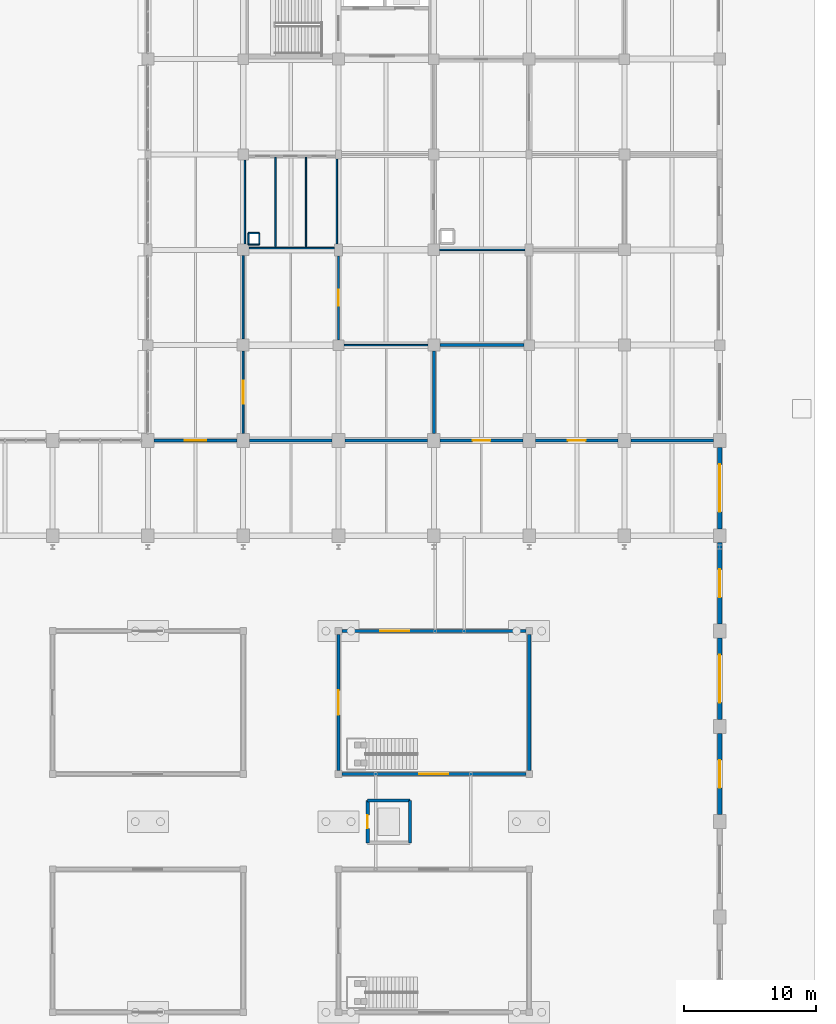
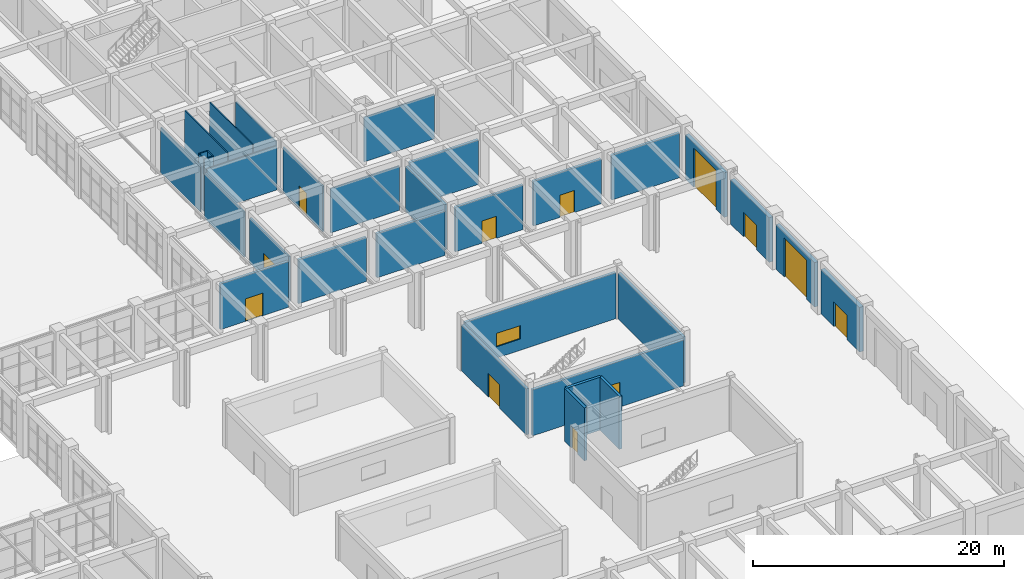
# One storey, part 146 of 160: 33 walls, 11 doors, 2 windows, 13 openings.
"""IFC4 building model written with IfcOpenShell, lengths in metres."""

from ifc_helpers import new_model, si_unit, direction, frame, frame_2d, origin, place, context, subcontext, project, spatial, rectangle, extrude, material, layer, layer_set, type_object, element, fill, save


model = new_model("IFC4")

# Units and contexts
model_context = context("Model", 3, precision=1e-05, world=origin(), true_north=direction((0.0, 1.0)))
body_context = subcontext(model_context, "Body", "Model", "MODEL_VIEW")
ifc_project = project(units=[si_unit("LENGTHUNIT", "METRE"), si_unit("AREAUNIT", "SQUARE_METRE"), si_unit("VOLUMEUNIT", "CUBIC_METRE"), si_unit("PLANEANGLEUNIT", "RADIAN"), si_unit("MASSUNIT", "GRAM", prefix="KILO")], contexts=[model_context])

# Site, building, storey
site_placement = place(None, origin())
site = spatial("IfcSite", under=ifc_project, at=site_placement, CompositionType="ELEMENT")
building_placement = place(site_placement, origin())
building = spatial("IfcBuilding", under=site, at=building_placement, Name="Thalmaran Polytechnic", CompositionType="ELEMENT")
storey_placement = place(building_placement, origin())
storey = spatial("IfcBuildingStorey", under=building, at=storey_placement, Name="L00", CompositionType="ELEMENT", Elevation=0.0)

# Wall, opening, door
ifc_material_1 = material(Name="Precast concrete C40/50", Category="concrete")
ifc_layer_1 = layer(ifc_material_1, 0.360107421875, Name="Precast concrete C40/50")
ifc_layer_set_1 = layer_set([ifc_layer_1], Name="Precast concrete C40/50")
wall_type_1 = type_object("IfcWallType", Name="WL-EW01", PredefinedType="STANDARD", material=ifc_layer_set_1)
wall_1_placement = place(storey_placement, frame((172.800048828125, 49.875, 0.0), z_axis=(0.0, 0.0, 1.0), x_axis=(0.0, -1.0, 0.0)))
wall_1 = element("IfcWall", 1, at=wall_1_placement, inside=storey, type_object=wall_type_1, Name="Ground Entrance Portal Wall L00-062", PredefinedType="STANDARD", context=body_context, shape_type="SweptSolid", body=[
    extrude(rectangle(XDim=6.14990234375, YDim=0.360107421875, at=frame_2d((3.074951171875, 0.0))), origin(), (0.0, 0.0, 1.0), 4.3349609375),
])
opening_1_placement = place(wall_1_placement, frame((2.02490234375, 0.0, 0.0)))
opening_1 = element("IfcOpeningElement", 2, at=opening_1_placement, cuts=wall_1, Name="Opening ED-20", PredefinedType="OPENING", context=body_context, shape_type="SweptSolid", body=[
    extrude(rectangle(XDim=2.10009765625, YDim=2.39990234375, at=frame_2d((1.050048828125, 1.199951171875))), frame((0.0, 0.18994140625, 0.0), z_axis=(0.0, -1.0, 0.0), x_axis=(1.0, 0.0, 0.0)), (0.0, 0.0, 1.0), 0.380126953125),
])
ifc_material_2 = material(Name="Anodised aluminium and safety glass", Category="aluminium")
door_type_1 = type_object("IfcDoorType", Name="DR-ED01", OperationType="NOTDEFINED", PredefinedType="DOOR", material=ifc_material_2)
door_1_placement = place(opening_1_placement, origin())
door_1 = element("IfcDoor", 3, at=door_1_placement, inside=storey, type_object=door_type_1, Name="Pedestrian Final Exit Door ED-20", OperationType="DOUBLE_DOOR_SINGLE_SWING", OverallHeight=2.39990234375, OverallWidth=2.10009765625, PredefinedType="DOOR", context=body_context, shape_type="SweptSolid", body=[
    extrude(rectangle(XDim=2.10009765625, YDim=2.39990234375, at=frame_2d((1.050048828125, 1.199951171875))), frame((0.0, 0.02490234375, 0.0), z_axis=(0.0, -1.0, 0.0), x_axis=(1.0, 0.0, 0.0)), (0.0, 0.0, 1.0), 0.050048828125),
])
fill(opening_1, door_1)

wall_2_placement = place(storey_placement, frame((172.800048828125, 35.47509765625, 0.0), z_axis=(0.0, 0.0, 1.0), x_axis=(0.0, -1.0, 0.0)))
wall_2 = element("IfcWall", 4, at=wall_2_placement, inside=storey, type_object=wall_type_1, Name="Ground Entrance Portal Wall L00-064", PredefinedType="STANDARD", context=body_context, shape_type="SweptSolid", body=[
    extrude(rectangle(XDim=6.150146484375, YDim=0.360107421875, at=frame_2d((3.0751953125, 0.0))), origin(), (0.0, 0.0, 1.0), 4.3349609375),
])
opening_2_placement = place(wall_2_placement, frame((2.02490234375, 0.0, 0.0)))
opening_2 = element("IfcOpeningElement", 5, at=opening_2_placement, cuts=wall_2, Name="Opening ED-21", PredefinedType="OPENING", context=body_context, shape_type="SweptSolid", body=[
    extrude(rectangle(XDim=2.10009765625, YDim=2.39990234375, at=frame_2d((1.050048828125, 1.199951171875))), frame((0.0, 0.18994140625, 0.0), z_axis=(0.0, -1.0, 0.0), x_axis=(1.0, 0.0, 0.0)), (0.0, 0.0, 1.0), 0.380126953125),
])
door_2_placement = place(opening_2_placement, origin())
door_2 = element("IfcDoor", 6, at=door_2_placement, inside=storey, type_object=door_type_1, Name="Pedestrian Final Exit Door ED-21", OperationType="DOUBLE_DOOR_SINGLE_SWING", OverallHeight=2.39990234375, OverallWidth=2.10009765625, PredefinedType="DOOR", context=body_context, shape_type="SweptSolid", body=[
    extrude(rectangle(XDim=2.10009765625, YDim=2.39990234375, at=frame_2d((1.050048828125, 1.199951171875))), frame((0.0, 0.02490234375, 0.0), z_axis=(0.0, -1.0, 0.0), x_axis=(1.0, 0.0, 0.0)), (0.0, 0.0, 1.0), 0.050048828125),
])
fill(opening_2, door_2)

ifc_layer_2 = layer(ifc_material_1, 0.330078125, Name="Precast concrete C40/50")
ifc_layer_set_2 = layer_set([ifc_layer_2], Name="Precast concrete C40/50")
wall_type_2 = type_object("IfcWallType", Name="WL-EW02", PredefinedType="STANDARD", material=ifc_layer_set_2)
wall_3_placement = place(storey_placement, frame((172.800048828125, 57.074951171875, 0.0), z_axis=(0.0, 0.0, 1.0), x_axis=(0.0, -1.0, 0.0)))
wall_3 = element("IfcWall", 7, at=wall_3_placement, inside=storey, type_object=wall_type_2, Name="Exterior Precast Facade Wall L00-061", PredefinedType="STANDARD", context=body_context, shape_type="SweptSolid", body=[
    extrude(rectangle(XDim=6.14990234375, YDim=0.330078125, at=frame_2d((3.074951171875, 0.0))), origin(), (0.0, 0.0, 1.0), 4.3349609375),
])
opening_3_placement = place(wall_3_placement, frame((1.27490234375, 0.0, 0.0)))
opening_3 = element("IfcOpeningElement", 8, at=opening_3_placement, cuts=wall_3, Name="Opening WB-061", PredefinedType="OPENING", context=body_context, shape_type="SweptSolid", body=[
    extrude(rectangle(XDim=3.60009765625, YDim=3.800048828125, at=frame_2d((1.800048828125, 1.89990234375))), frame((0.0, 0.175048828125, 0.0), z_axis=(0.0, -1.0, 0.0), x_axis=(1.0, 0.0, 0.0)), (0.0, 0.0, 1.0), 0.35009765625),
])
ifc_material_3 = material(Name="Galvanised insulated steel roller shutter", Category="steel")
door_type_2 = type_object("IfcDoorType", Name="DR-VG03", OperationType="NOTDEFINED", PredefinedType="GATE", material=ifc_material_3)
door_3_placement = place(opening_3_placement, origin())
door_3 = element("IfcDoor", 9, at=door_3_placement, inside=storey, type_object=door_type_2, Name="Engineering Workshop Crane Bay Door WB-061", OperationType="ROLLINGUP", OverallHeight=3.800048828125, OverallWidth=3.60009765625, PredefinedType="GATE", context=body_context, shape_type="SweptSolid", body=[
    extrude(rectangle(XDim=3.60009765625, YDim=3.800048828125, at=frame_2d((1.800048828125, 1.89990234375))), frame((0.0, 0.02490234375, 0.0), z_axis=(0.0, -1.0, 0.0), x_axis=(1.0, 0.0, 0.0)), (0.0, 0.0, 1.0), 0.050048828125),
])
fill(opening_3, door_3)

wall_4_placement = place(storey_placement, frame((172.800048828125, 42.675048828125, 0.0), z_axis=(0.0, 0.0, 1.0), x_axis=(0.0, -1.0, 0.0)))
wall_4 = element("IfcWall", 10, at=wall_4_placement, inside=storey, type_object=wall_type_2, Name="Exterior Precast Facade Wall L00-063", PredefinedType="STANDARD", context=body_context, shape_type="SweptSolid", body=[
    extrude(rectangle(XDim=6.150146484375, YDim=0.330078125, at=frame_2d((3.0751953125, 0.0))), origin(), (0.0, 0.0, 1.0), 4.3349609375),
])
opening_4_placement = place(wall_4_placement, frame((1.27490234375, 0.0, 0.0)))
opening_4 = element("IfcOpeningElement", 11, at=opening_4_placement, cuts=wall_4, Name="Opening WB-063", PredefinedType="OPENING", context=body_context, shape_type="SweptSolid", body=[
    extrude(rectangle(XDim=3.60009765625, YDim=3.800048828125, at=frame_2d((1.800048828125, 1.89990234375))), frame((0.0, 0.175048828125, 0.0), z_axis=(0.0, -1.0, 0.0), x_axis=(1.0, 0.0, 0.0)), (0.0, 0.0, 1.0), 0.35009765625),
])
door_4_placement = place(opening_4_placement, origin())
door_4 = element("IfcDoor", 12, at=door_4_placement, inside=storey, type_object=door_type_2, Name="Engineering Workshop Crane Bay Door WB-063", OperationType="ROLLINGUP", OverallHeight=3.800048828125, OverallWidth=3.60009765625, PredefinedType="GATE", context=body_context, shape_type="SweptSolid", body=[
    extrude(rectangle(XDim=3.60009765625, YDim=3.800048828125, at=frame_2d((1.800048828125, 1.89990234375))), frame((0.0, 0.02490234375, 0.0), z_axis=(0.0, -1.0, 0.0), x_axis=(1.0, 0.0, 0.0)), (0.0, 0.0, 1.0), 0.050048828125),
])
fill(opening_4, door_4)

# Wall, opening, window
ifc_material_4 = material(Name="Autoclaved aerated masonry", Category="masonry")
ifc_layer_3 = layer(ifc_material_4, 0.25, Name="Autoclaved aerated masonry")
ifc_layer_set_3 = layer_set([ifc_layer_3], Name="Autoclaved aerated masonry")
wall_type_3 = type_object("IfcWallType", Name="WL-IW01", PredefinedType="PARTITIONING", material=ifc_layer_set_3)
wall_5_placement = place(storey_placement, frame((144.25, 32.39990234375, 0.0), z_axis=(0.0, 0.0, 1.0), x_axis=(1.0, 0.0, 0.0)))
wall_5 = element("IfcWall", 13, at=wall_5_placement, inside=storey, type_object=wall_type_3, Name="POD4 Acoustic Enclosure Wall L00-S", PredefinedType="PARTITIONING", context=body_context, shape_type="SweptSolid", body=[
    extrude(rectangle(XDim=13.89990234375, YDim=0.25, at=frame_2d((6.949951171875, 0.0))), origin(), (0.0, 0.0, 1.0), 4.469970703125),
])
opening_5_placement = place(wall_5_placement, frame((5.85009765625, 0.0, 1.10009765625)))
opening_5 = element("IfcOpeningElement", 14, at=opening_5_placement, cuts=wall_5, Name="Opening IW11", PredefinedType="OPENING", context=body_context, shape_type="SweptSolid", body=[
    extrude(rectangle(XDim=2.199951171875, YDim=1.300048828125, at=frame_2d((1.10009765625, 0.64990234375))), frame((0.0, 0.135009765625, 0.0), z_axis=(0.0, -1.0, 0.0), x_axis=(1.0, 0.0, 0.0)), (0.0, 0.0, 1.0), 0.27001953125),
])
ifc_material_5 = material(Name="Thermally broken aluminium and double low-E glass", Category="aluminium")
window_type = type_object("IfcWindowType", Name="WN-IW01", PartitioningType="DOUBLE_PANEL_VERTICAL", PredefinedType="WINDOW", material=ifc_material_5)
window_1_placement = place(opening_5_placement, origin())
window_1 = element("IfcWindow", 15, at=window_1_placement, inside=storey, type_object=window_type, Name="POD4 Observation Window S", OverallHeight=1.300048828125, OverallWidth=2.199951171875, PartitioningType="SINGLE_PANEL", PredefinedType="WINDOW", context=body_context, shape_type="SweptSolid", body=[
    extrude(rectangle(XDim=2.199951171875, YDim=1.300048828125, at=frame_2d((1.10009765625, 0.64990234375))), frame((0.0, 0.030029296875, 0.0), z_axis=(0.0, -1.0, 0.0), x_axis=(1.0, 0.0, 0.0)), (0.0, 0.0, 1.0), 0.06005859375),
])
fill(opening_5, window_1)

# Wall
wall_6_placement = place(storey_placement, frame((158.39990234375, 32.64990234375, 0.0), z_axis=(0.0, 0.0, 1.0), x_axis=(0.0, 1.0, 0.0)))
element("IfcWall", 16, at=wall_6_placement, inside=storey, type_object=wall_type_3, Name="POD4 Acoustic Enclosure Wall L00-E", PredefinedType="PARTITIONING", context=body_context, shape_type="SweptSolid", body=[
    extrude(rectangle(XDim=10.300048828125, YDim=0.25, at=frame_2d((5.14990234375, 0.0))), origin(), (0.0, 0.0, 1.0), 4.469970703125),
])

# Wall, opening, window
wall_7_placement = place(storey_placement, frame((158.14990234375, 43.199951171875, 0.0), z_axis=(0.0, 0.0, 1.0), x_axis=(-1.0, 0.0, 0.0)))
wall_7 = element("IfcWall", 17, at=wall_7_placement, inside=storey, type_object=wall_type_3, Name="POD4 Acoustic Enclosure Wall L00-N", PredefinedType="PARTITIONING", context=body_context, shape_type="SweptSolid", body=[
    extrude(rectangle(XDim=13.89990234375, YDim=0.25, at=frame_2d((6.949951171875, 0.0))), origin(), (0.0, 0.0, 1.0), 4.469970703125),
])
opening_6_placement = place(wall_7_placement, frame((8.800048828125, 0.0, 1.10009765625)))
opening_6 = element("IfcOpeningElement", 18, at=opening_6_placement, cuts=wall_7, Name="Opening IW11", PredefinedType="OPENING", context=body_context, shape_type="SweptSolid", body=[
    extrude(rectangle(XDim=2.199951171875, YDim=1.300048828125, at=frame_2d((1.10009765625, 0.64990234375))), frame((0.0, 0.135009765625, 0.0), z_axis=(0.0, -1.0, 0.0), x_axis=(1.0, 0.0, 0.0)), (0.0, 0.0, 1.0), 0.27001953125),
])
window_2_placement = place(opening_6_placement, origin())
window_2 = element("IfcWindow", 19, at=window_2_placement, inside=storey, type_object=window_type, Name="POD4 Observation Window N", OverallHeight=1.300048828125, OverallWidth=2.199951171875, PartitioningType="SINGLE_PANEL", PredefinedType="WINDOW", context=body_context, shape_type="SweptSolid", body=[
    extrude(rectangle(XDim=2.199951171875, YDim=1.300048828125, at=frame_2d((1.10009765625, 0.64990234375))), frame((0.0, 0.030029296875, 0.0), z_axis=(0.0, -1.0, 0.0), x_axis=(1.0, 0.0, 0.0)), (0.0, 0.0, 1.0), 0.06005859375),
])
fill(opening_6, window_2)

# Wall, opening, door
wall_8_placement = place(storey_placement, frame((144.0, 42.949951171875, 0.0), z_axis=(0.0, 0.0, 1.0), x_axis=(0.0, -1.0, 0.0)))
wall_8 = element("IfcWall", 20, at=wall_8_placement, inside=storey, type_object=wall_type_3, Name="POD4 Acoustic Enclosure Wall L00-W", PredefinedType="PARTITIONING", context=body_context, shape_type="SweptSolid", body=[
    extrude(rectangle(XDim=10.300048828125, YDim=0.25, at=frame_2d((5.14990234375, 0.0))), origin(), (0.0, 0.0, 1.0), 4.469970703125),
])
opening_7_placement = place(wall_8_placement, frame((4.22509765625, 0.0, 0.0)))
opening_7 = element("IfcOpeningElement", 21, at=opening_7_placement, cuts=wall_8, Name="Opening PD-POD4-L00", PredefinedType="OPENING", context=body_context, shape_type="SweptSolid", body=[
    extrude(rectangle(XDim=1.85009765625, YDim=2.300048828125, at=frame_2d((0.925048828125, 1.14990234375))), frame((0.0, 0.135009765625, 0.0), z_axis=(0.0, -1.0, 0.0), x_axis=(1.0, 0.0, 0.0)), (0.0, 0.0, 1.0), 0.27001953125),
])
ifc_material_6 = material(Name="Acoustic hardwood and vision glass", Category="wood")
door_type_3 = type_object("IfcDoorType", Name="DR-ID01", OperationType="NOTDEFINED", PredefinedType="DOOR", material=ifc_material_6)
door_5_placement = place(opening_7_placement, frame((1.85009765625, 0.0, 0.0), z_axis=(0.0, 0.0, 1.0), x_axis=(-1.0, 0.0, 0.0)))
door_5 = element("IfcDoor", 22, at=door_5_placement, inside=storey, type_object=door_type_3, Name="Robotics Calibration Laboratory Entrance Door", OperationType="DOUBLE_DOOR_SINGLE_SWING", OverallHeight=2.300048828125, OverallWidth=1.85009765625, PredefinedType="DOOR", context=body_context, shape_type="SweptSolid", body=[
    extrude(rectangle(XDim=1.85009765625, YDim=2.300048828125, at=frame_2d((0.925048828125, 1.14990234375))), frame((0.0, 0.02490234375, 0.0), z_axis=(0.0, -1.0, 0.0), x_axis=(1.0, 0.0, 0.0)), (0.0, 0.0, 1.0), 0.050048828125),
])
fill(opening_7, door_5)

ifc_layer_4 = layer(ifc_material_4, 0.22998046875, Name="Autoclaved aerated masonry")
ifc_layer_set_4 = layer_set([ifc_layer_4], Name="Autoclaved aerated masonry")
wall_type_4 = type_object("IfcWallType", Name="WL-IW02", PredefinedType="PARTITIONING", material=ifc_layer_set_4)
wall_9_placement = place(storey_placement, frame((130.080078125, 57.60009765625, 0.0), z_axis=(0.0, 0.0, 1.0), x_axis=(1.0, 0.0, 0.0)))
wall_9 = element("IfcWall", 23, at=wall_9_placement, inside=storey, type_object=wall_type_4, Name="Interior Partition IW02 L00-130", PredefinedType="PARTITIONING", context=body_context, shape_type="SweptSolid", body=[
    extrude(rectangle(XDim=6.239990234375, YDim=0.22998046875, at=frame_2d((3.1201171875, 0.0))), origin(), (0.0, 0.0, 1.0), 4.449951171875),
])
opening_8_placement = place(wall_9_placement, frame((2.320068359375, 0.0, 0.0)))
opening_8 = element("IfcOpeningElement", 24, at=opening_8_placement, cuts=wall_9, Name="Opening ID-L00-W130", PredefinedType="OPENING", context=body_context, shape_type="SweptSolid", body=[
    extrude(rectangle(XDim=1.60009765625, YDim=2.199951171875, at=frame_2d((0.800048828125, 1.10009765625))), frame((0.0, 0.125, 0.0), z_axis=(0.0, -1.0, 0.0), x_axis=(1.0, 0.0, 0.0)), (0.0, 0.0, 1.0), 0.25),
])
ifc_material_7 = material(Name="Powder-coated fire-rated steel", Category="steel")
door_type_4 = type_object("IfcDoorType", Name="DR-FD05", OperationType="NOTDEFINED", PredefinedType="DOOR", material=ifc_material_7)
door_6_placement = place(opening_8_placement, origin())
door_6 = element("IfcDoor", 25, at=door_6_placement, inside=storey, type_object=door_type_4, Name="Workshop Hall Fire Door L00-130", OperationType="DOUBLE_DOOR_SINGLE_SWING", OverallHeight=2.199951171875, OverallWidth=1.60009765625, PredefinedType="DOOR", context=body_context, shape_type="SweptSolid", body=[
    extrude(rectangle(XDim=1.60009765625, YDim=2.199951171875, at=frame_2d((0.800048828125, 1.10009765625))), frame((0.0, 0.02490234375, 0.0), z_axis=(0.0, -1.0, 0.0), x_axis=(1.0, 0.0, 0.0)), (0.0, 0.0, 1.0), 0.050048828125),
])
fill(opening_8, door_6)

# Walls
wall_10_placement = place(storey_placement, frame((137.280029296875, 57.60009765625, 0.0), z_axis=(0.0, 0.0, 1.0), x_axis=(1.0, 0.0, 0.0)))
element("IfcWall", 26, at=wall_10_placement, inside=storey, type_object=wall_type_4, Name="Interior Partition IW02 L00-137", PredefinedType="PARTITIONING", context=body_context, shape_type="SweptSolid", body=[
    extrude(rectangle(XDim=6.239990234375, YDim=0.22998046875, at=frame_2d((3.1201171875, 0.0))), origin(), (0.0, 0.0, 1.0), 4.2900390625),
])
wall_11_placement = place(storey_placement, frame((144.47998046875, 57.60009765625, 0.0), z_axis=(0.0, 0.0, 1.0), x_axis=(1.0, 0.0, 0.0)))
element("IfcWall", 27, at=wall_11_placement, inside=storey, type_object=wall_type_4, Name="Interior Partition IW02 L00-142", PredefinedType="PARTITIONING", context=body_context, shape_type="SweptSolid", body=[
    extrude(rectangle(XDim=6.239990234375, YDim=0.22998046875, at=frame_2d((3.1201171875, 0.0))), origin(), (0.0, 0.0, 1.0), 4.31005859375),
])
wall_12_placement = place(storey_placement, frame((151.199951171875, 58.1298828125, 0.0), z_axis=(0.0, 0.0, 1.0), x_axis=(0.0, 1.0, 0.0)))
element("IfcWall", 28, at=wall_12_placement, inside=storey, type_object=wall_type_4, Name="Interior Partition IW02 L00-143", PredefinedType="PARTITIONING", context=body_context, shape_type="SweptSolid", body=[
    extrude(rectangle(XDim=6.215087890625, YDim=0.22998046875, at=frame_2d((3.107421875, 0.0))), origin(), (0.0, 0.0, 1.0), 4.405029296875),
])

# Wall, opening, door
wall_13_placement = place(storey_placement, frame((151.679931640625, 57.60009765625, 0.0), z_axis=(0.0, 0.0, 1.0), x_axis=(1.0, 0.0, 0.0)))
wall_13 = element("IfcWall", 29, at=wall_13_placement, inside=storey, type_object=wall_type_4, Name="Interior Partition IW02 L00-152", PredefinedType="PARTITIONING", context=body_context, shape_type="SweptSolid", body=[
    extrude(rectangle(XDim=6.239990234375, YDim=0.22998046875, at=frame_2d((3.1201171875, 0.0))), origin(), (0.0, 0.0, 1.0), 4.340087890625),
])
opening_9_placement = place(wall_13_placement, frame((2.445068359375, 0.0, 0.0)))
opening_9 = element("IfcOpeningElement", 30, at=opening_9_placement, cuts=wall_13, Name="Opening D-L00-014--LDK-1", PredefinedType="OPENING", context=body_context, shape_type="SweptSolid", body=[
    extrude(rectangle(XDim=1.35009765625, YDim=2.14990234375, at=frame_2d((0.675048828125, 1.074951171875))), frame((0.0, 0.125, 0.0), z_axis=(0.0, -1.0, 0.0), x_axis=(1.0, 0.0, 0.0)), (0.0, 0.0, 1.0), 0.25),
])
door_type_5 = type_object("IfcDoorType", Name="DR-FD06", OperationType="NOTDEFINED", PredefinedType="DOOR", material=ifc_material_7)
door_7_placement = place(opening_9_placement, origin())
door_7 = element("IfcDoor", 31, at=door_7_placement, inside=storey, type_object=door_type_5, Name="Heavy Goods Loading Dock and Workshop Store Door 1", OperationType="SINGLE_SWING_LEFT", OverallHeight=2.14990234375, OverallWidth=1.35009765625, PredefinedType="DOOR", context=body_context, shape_type="SweptSolid", body=[
    extrude(rectangle(XDim=1.35009765625, YDim=2.14990234375, at=frame_2d((0.675048828125, 1.074951171875))), frame((0.0, 0.02490234375, 0.0), z_axis=(0.0, -1.0, 0.0), x_axis=(1.0, 0.0, 0.0)), (0.0, 0.0, 1.0), 0.050048828125),
])
fill(opening_9, door_7)

# Wall
wall_14_placement = place(storey_placement, frame((151.655029296875, 64.800048828125, 0.0), z_axis=(0.0, 0.0, 1.0), x_axis=(1.0, 0.0, 0.0)))
element("IfcWall", 32, at=wall_14_placement, inside=storey, type_object=wall_type_4, Name="Interior Partition IW02 L00-153", PredefinedType="PARTITIONING", context=body_context, shape_type="SweptSolid", body=[
    extrude(rectangle(XDim=6.340087890625, YDim=0.22998046875, at=frame_2d((3.169921875, 0.0))), origin(), (0.0, 0.0, 1.0), 4.340087890625),
])

# Wall, opening, door
wall_15_placement = place(storey_placement, frame((158.8798828125, 57.60009765625, 0.0), z_axis=(0.0, 0.0, 1.0), x_axis=(1.0, 0.0, 0.0)))
wall_15 = element("IfcWall", 33, at=wall_15_placement, inside=storey, type_object=wall_type_4, Name="Interior Partition IW02 L00-161", PredefinedType="PARTITIONING", context=body_context, shape_type="SweptSolid", body=[
    extrude(rectangle(XDim=6.240234375, YDim=0.22998046875, at=frame_2d((3.1201171875, 0.0))), origin(), (0.0, 0.0, 1.0), 4.35009765625),
])
opening_10_placement = place(wall_15_placement, frame((2.445068359375, 0.0, 0.0)))
opening_10 = element("IfcOpeningElement", 34, at=opening_10_placement, cuts=wall_15, Name="Opening D-L00-015--LDK-2", PredefinedType="OPENING", context=body_context, shape_type="SweptSolid", body=[
    extrude(rectangle(XDim=1.35009765625, YDim=2.14990234375, at=frame_2d((0.675048828125, 1.074951171875))), frame((0.0, 0.125, 0.0), z_axis=(0.0, -1.0, 0.0), x_axis=(1.0, 0.0, 0.0)), (0.0, 0.0, 1.0), 0.25),
])
door_8_placement = place(opening_10_placement, origin())
door_8 = element("IfcDoor", 35, at=door_8_placement, inside=storey, type_object=door_type_5, Name="Heavy Goods Loading Dock and Workshop Store Door 2", OperationType="SINGLE_SWING_RIGHT", OverallHeight=2.14990234375, OverallWidth=1.35009765625, PredefinedType="DOOR", context=body_context, shape_type="SweptSolid", body=[
    extrude(rectangle(XDim=1.35009765625, YDim=2.14990234375, at=frame_2d((0.675048828125, 1.074951171875))), frame((0.0, 0.02490234375, 0.0), z_axis=(0.0, -1.0, 0.0), x_axis=(1.0, 0.0, 0.0)), (0.0, 0.0, 1.0), 0.050048828125),
])
fill(opening_10, door_8)

# Wall
wall_16_placement = place(storey_placement, frame((166.080078125, 57.60009765625, 0.0), z_axis=(0.0, 0.0, 1.0), x_axis=(1.0, 0.0, 0.0)))
element("IfcWall", 36, at=wall_16_placement, inside=storey, type_object=wall_type_4, Name="Interior Partition IW02 L00-169", PredefinedType="PARTITIONING", context=body_context, shape_type="SweptSolid", body=[
    extrude(rectangle(XDim=6.239990234375, YDim=0.22998046875, at=frame_2d((3.1201171875, 0.0))), origin(), (0.0, 0.0, 1.0), 4.364990234375),
])

# Wall, opening, door
ifc_material_8 = material(Name="Gypsum acoustic partition")
ifc_layer_5 = layer(ifc_material_8, 0.14501953125, Name="Gypsum acoustic partition")
ifc_layer_set_5 = layer_set([ifc_layer_5], Name="Gypsum acoustic partition")
wall_type_5 = type_object("IfcWallType", Name="WL-IW06", PredefinedType="PARTITIONING", material=ifc_layer_set_5)
wall_17_placement = place(storey_placement, frame((136.800048828125, 58.1298828125, 0.0), z_axis=(0.0, 0.0, 1.0), x_axis=(0.0, 1.0, 0.0)))
wall_17 = element("IfcWall", 37, at=wall_17_placement, inside=storey, type_object=wall_type_5, Name="Interior Partition IW06 L00-131", PredefinedType="PARTITIONING", context=body_context, shape_type="SweptSolid", body=[
    extrude(rectangle(XDim=6.215087890625, YDim=0.14501953125, at=frame_2d((3.107421875, 0.0))), origin(), (0.0, 0.0, 1.0), 4.405029296875),
])
opening_11_placement = place(wall_17_placement, frame((2.2275390625, 0.0, 0.0)))
opening_11 = element("IfcOpeningElement", 38, at=opening_11_placement, cuts=wall_17, Name="Opening D-L00-038-5-01-1", PredefinedType="OPENING", context=body_context, shape_type="SweptSolid", body=[
    extrude(rectangle(XDim=1.760009765625, YDim=2.300048828125, at=frame_2d((0.8798828125, 1.14990234375))), frame((0.0, 0.08251953125, 0.0), z_axis=(0.0, -1.0, 0.0), x_axis=(1.0, 0.0, 0.0)), (0.0, 0.0, 1.0), 0.1650390625),
])
door_type_6 = type_object("IfcDoorType", Name="DR-ZD02", OperationType="NOTDEFINED", PredefinedType="DOOR", material=ifc_material_6)
door_9_placement = place(opening_11_placement, origin())
door_9 = element("IfcDoor", 39, at=door_9_placement, inside=storey, type_object=door_type_6, Name="Marine Systems Laboratory L00-01 Door 1", OperationType="SINGLE_SWING_RIGHT", OverallHeight=2.300048828125, OverallWidth=1.760009765625, PredefinedType="DOOR", context=body_context, shape_type="SweptSolid", body=[
    extrude(rectangle(XDim=1.760009765625, YDim=2.300048828125, at=frame_2d((0.8798828125, 1.14990234375))), frame((0.0, 0.02490234375, 0.0), z_axis=(0.0, -1.0, 0.0), x_axis=(1.0, 0.0, 0.0)), (0.0, 0.0, 1.0), 0.050048828125),
])
fill(opening_11, door_9)

# Wall
wall_18_placement = place(storey_placement, frame((136.800048828125, 65.2548828125, 0.0), z_axis=(0.0, 0.0, 1.0), x_axis=(0.0, 1.0, 0.0)))
element("IfcWall", 40, at=wall_18_placement, inside=storey, type_object=wall_type_5, Name="Interior Partition IW06 L00-132", PredefinedType="PARTITIONING", context=body_context, shape_type="SweptSolid", body=[
    extrude(rectangle(XDim=6.300048828125, YDim=0.14501953125, at=frame_2d((3.14990234375, 0.0))), origin(), (0.0, 0.0, 1.0), 4.405029296875),
])

# Wall, opening, door
ifc_layer_6 = layer(ifc_material_8, 0.1298828125, Name="Gypsum acoustic partition")
ifc_layer_set_6 = layer_set([ifc_layer_6], Name="Gypsum acoustic partition")
wall_type_6 = type_object("IfcWallType", Name="WL-IW07", PredefinedType="PARTITIONING", material=ifc_layer_set_6)
wall_19_placement = place(storey_placement, frame((144.0, 65.205078125, 0.0), z_axis=(0.0, 0.0, 1.0), x_axis=(0.0, 1.0, 0.0)))
wall_19 = element("IfcWall", 41, at=wall_19_placement, inside=storey, type_object=wall_type_6, Name="Interior Partition IW07 L00-138", PredefinedType="PARTITIONING", context=body_context, shape_type="SweptSolid", body=[
    extrude(rectangle(XDim=6.33984375, YDim=0.1298828125, at=frame_2d((3.169921875, 0.0))), origin(), (0.0, 0.0, 1.0), 4.405029296875),
])
opening_12_placement = place(wall_19_placement, frame((2.580078125, 0.0, 0.0)))
opening_12 = element("IfcOpeningElement", 42, at=opening_12_placement, cuts=wall_19, Name="Opening D-L00-041-5-04-1", PredefinedType="OPENING", context=body_context, shape_type="SweptSolid", body=[
    extrude(rectangle(XDim=1.179931640625, YDim=2.179931640625, at=frame_2d((0.58984375, 1.08984375))), frame((0.0, 0.074951171875, 0.0), z_axis=(0.0, -1.0, 0.0), x_axis=(1.0, 0.0, 0.0)), (0.0, 0.0, 1.0), 0.14990234375),
])
ifc_material_9 = material(Name="Acoustic hardwood", Category="wood")
door_type_7 = type_object("IfcDoorType", Name="DR-ZD05", OperationType="NOTDEFINED", PredefinedType="DOOR", material=ifc_material_9)
door_10_placement = place(opening_12_placement, origin())
door_10 = element("IfcDoor", 43, at=door_10_placement, inside=storey, type_object=door_type_7, Name="Seminar Room L00-04 Door 1", OperationType="SINGLE_SWING_LEFT", OverallHeight=2.179931640625, OverallWidth=1.179931640625, PredefinedType="DOOR", context=body_context, shape_type="SweptSolid", body=[
    extrude(rectangle(XDim=1.179931640625, YDim=2.179931640625, at=frame_2d((0.58984375, 1.08984375))), frame((0.0, 0.02490234375, 0.0), z_axis=(0.0, -1.0, 0.0), x_axis=(1.0, 0.0, 0.0)), (0.0, 0.0, 1.0), 0.050048828125),
])
fill(opening_12, door_10)

# Walls
wall_20_placement = place(storey_placement, frame((144.405029296875, 64.800048828125, 0.0), z_axis=(0.0, 0.0, 1.0), x_axis=(1.0, 0.0, 0.0)))
element("IfcWall", 44, at=wall_20_placement, inside=storey, type_object=wall_type_6, Name="Interior Partition IW07 L00-144", PredefinedType="PARTITIONING", context=body_context, shape_type="SweptSolid", body=[
    extrude(rectangle(XDim=6.340087890625, YDim=0.1298828125, at=frame_2d((3.169921875, 0.0))), origin(), (0.0, 0.0, 1.0), 4.31005859375),
])
ifc_layer_7 = layer(ifc_material_8, 0.114990234375, Name="Gypsum acoustic partition")
ifc_layer_set_7 = layer_set([ifc_layer_7], Name="Gypsum acoustic partition")
wall_type_7 = type_object("IfcWallType", Name="WL-IW08", PredefinedType="PARTITIONING", material=ifc_layer_set_7)
wall_21_placement = place(storey_placement, frame((137.2451171875, 72.1201171875, 0.0), z_axis=(0.0, 0.0, 1.0), x_axis=(1.0, 0.0, 0.0)))
element("IfcWall", 45, at=wall_21_placement, inside=storey, type_object=wall_type_7, Name="Sanitary Core Wall L00-W3-S", PredefinedType="PARTITIONING", context=body_context, shape_type="SweptSolid", body=[
    extrude(rectangle(XDim=6.449951171875, YDim=0.114990234375, at=frame_2d((3.22509765625, 0.0))), origin(), (0.0, 0.0, 1.0), 4.2900390625),
])
wall_22_placement = place(storey_placement, frame((136.919921875, 72.445068359375, 0.0), z_axis=(0.0, 0.0, 1.0), x_axis=(0.0, 1.0, 0.0)))
element("IfcWall", 46, at=wall_22_placement, inside=storey, type_object=wall_type_7, Name="Sanitary Side Wall L00-W3-W", PredefinedType="PARTITIONING", context=body_context, shape_type="SweptSolid", body=[
    extrude(rectangle(XDim=6.33984375, YDim=0.114990234375, at=frame_2d((3.169921875, 0.0))), origin(), (0.0, 0.0, 1.0), 4.39990234375),
])
wall_23_placement = place(storey_placement, frame((143.8798828125, 72.455078125, 0.0), z_axis=(0.0, 0.0, 1.0), x_axis=(0.0, 1.0, 0.0)))
element("IfcWall", 47, at=wall_23_placement, inside=storey, type_object=wall_type_7, Name="Sanitary Side Wall L00-W3-E", PredefinedType="PARTITIONING", context=body_context, shape_type="SweptSolid", body=[
    extrude(rectangle(XDim=6.4150390625, YDim=0.114990234375, at=frame_2d((3.20751953125, 0.0))), origin(), (0.0, 0.0, 1.0), 4.39990234375),
])
wall_24_placement = place(storey_placement, frame((151.64501953125, 72.0, 0.0), z_axis=(0.0, 0.0, 1.0), x_axis=(1.0, 0.0, 0.0)))
element("IfcWall", 48, at=wall_24_placement, inside=storey, type_object=wall_type_7, Name="Interior Partition IW08 L00-155", PredefinedType="PARTITIONING", context=body_context, shape_type="SweptSolid", body=[
    extrude(rectangle(XDim=6.449951171875, YDim=0.114990234375, at=frame_2d((3.22509765625, 0.0))), origin(), (0.0, 0.0, 1.0), 4.340087890625),
])
ifc_material_10 = material(Name="Moisture-resistant partition")
ifc_layer_8 = layer(ifc_material_10, 0.10009765625, Name="Moisture-resistant partition")
ifc_layer_set_8 = layer_set([ifc_layer_8], Name="Moisture-resistant partition")
wall_type_8 = type_object("IfcWallType", Name="WL-IW09", PredefinedType="PARTITIONING", material=ifc_layer_set_8)
for number, where, z_axis, x_axis, name in (
    (49, (139.25, 72.199951171875, 0.0), (0.0, 0.0, 1.0), (0.0, 1.0, 0.0), "WC Partition L00-W3-1"),
    (50, (141.550048828125, 72.199951171875, 0.0), (0.0, 0.0, 1.0), (0.0, 1.0, 0.0), "WC Partition L00-W3-2"),
):
    element("IfcWall", number, at=place(storey_placement, frame(where, z_axis=z_axis, x_axis=x_axis)), inside=storey, type_object=wall_type_8, Name=name, PredefinedType="PARTITIONING", context=body_context, shape_type="SweptSolid", body=[
        extrude(rectangle(XDim=6.800048828125, YDim=0.10009765625, at=frame_2d((3.39990234375, 0.0))), origin(), (0.0, 0.0, 1.0), 5.090087890625),
    ])
wall_25_placement = place(storey_placement, frame((137.18994140625, 72.39990234375, 0.0), z_axis=(0.0, 0.0, 1.0), x_axis=(1.0, 0.0, 0.0)))
element("IfcWall", 51, at=wall_25_placement, inside=storey, type_object=wall_type_8, Name="Plumbing Riser Chase Wall L00-W3-S", PredefinedType="PARTITIONING", context=body_context, shape_type="SweptSolid", body=[
    extrude(rectangle(XDim=0.820068359375, YDim=0.10009765625, at=frame_2d((0.41015625, 0.0))), origin(), (0.0, 0.0, 1.0), 5.090087890625),
])
wall_26_placement = place(storey_placement, frame((138.010009765625, 72.39990234375, 0.0), z_axis=(0.0, 0.0, 1.0), x_axis=(0.0, 1.0, 0.0)))
element("IfcWall", 52, at=wall_26_placement, inside=storey, type_object=wall_type_8, Name="Plumbing Riser Chase Wall L00-W3-E", PredefinedType="PARTITIONING", context=body_context, shape_type="SweptSolid", body=[
    extrude(rectangle(XDim=0.860107421875, YDim=0.10009765625, at=frame_2d((0.43017578125, 0.0))), origin(), (0.0, 0.0, 1.0), 5.090087890625),
])
wall_27_placement = place(storey_placement, frame((138.010009765625, 73.260009765625, 0.0), z_axis=(0.0, 0.0, 1.0), x_axis=(-1.0, 0.0, 0.0)))
element("IfcWall", 53, at=wall_27_placement, inside=storey, type_object=wall_type_8, Name="Plumbing Riser Chase Wall L00-W3-N", PredefinedType="PARTITIONING", context=body_context, shape_type="SweptSolid", body=[
    extrude(rectangle(XDim=0.820068359375, YDim=0.10009765625, at=frame_2d((0.41015625, 0.0))), origin(), (0.0, 0.0, 1.0), 5.090087890625),
])
wall_28_placement = place(storey_placement, frame((137.18994140625, 73.260009765625, 0.0), z_axis=(0.0, 0.0, 1.0), x_axis=(0.0, -1.0, 0.0)))
element("IfcWall", 54, at=wall_28_placement, inside=storey, type_object=wall_type_8, Name="Plumbing Riser Chase Wall L00-W3-W", PredefinedType="PARTITIONING", context=body_context, shape_type="SweptSolid", body=[
    extrude(rectangle(XDim=0.860107421875, YDim=0.10009765625, at=frame_2d((0.43017578125, 0.0))), origin(), (0.0, 0.0, 1.0), 5.090087890625),
])
ifc_material_11 = material(Name="Concrete C50/60", Category="concrete")
ifc_layer_9 = layer(ifc_material_11, 0.300048828125, Name="Concrete C50/60")
ifc_layer_set_9 = layer_set([ifc_layer_9], Name="Concrete C50/60")
wall_type_9 = type_object("IfcWallType", Name="WL-SW04", PredefinedType="SHEAR", material=ifc_layer_set_9)
for number, where, z_axis, x_axis, name in (
    (55, (149.39990234375, 27.199951171875, 0.0), (0.0, 0.0, 1.0), (0.0, 1.0, 0.0), "Pod Lift Shaft Wall L00-E"),
    (56, (149.39990234375, 30.39990234375, 0.0), (0.0, 0.0, 1.0), (-1.0, 0.0, 0.0), "Pod Lift Shaft Wall L00-N"),
):
    element("IfcWall", number, at=place(storey_placement, frame(where, z_axis=z_axis, x_axis=x_axis)), inside=storey, type_object=wall_type_9, Name=name, PredefinedType="SHEAR", context=body_context, shape_type="SweptSolid", body=[
        extrude(rectangle(XDim=3.199951171875, YDim=0.25, at=frame_2d((1.60009765625, 0.0))), origin(), (0.0, 0.0, 1.0), 5.155029296875),
    ])

# Wall, opening, door
wall_29_placement = place(storey_placement, frame((146.199951171875, 30.39990234375, 0.0), z_axis=(0.0, 0.0, 1.0), x_axis=(0.0, -1.0, 0.0)))
wall_29 = element("IfcWall", 57, at=wall_29_placement, inside=storey, type_object=wall_type_9, Name="Pod Lift Shaft Wall L00-W", PredefinedType="SHEAR", context=body_context, shape_type="SweptSolid", body=[
    extrude(rectangle(XDim=3.199951171875, YDim=0.25, at=frame_2d((1.60009765625, 0.0))), origin(), (0.0, 0.0, 1.0), 5.155029296875),
])
opening_13_placement = place(wall_29_placement, frame((1.10009765625, 0.0, 0.0)))
opening_13 = element("IfcOpeningElement", 58, at=opening_13_placement, cuts=wall_29, Name="Opening LD-LPOD1-L00", PredefinedType="OPENING", context=body_context, shape_type="SweptSolid", body=[
    extrude(rectangle(XDim=1.0, YDim=2.14990234375, at=frame_2d((0.5, 1.074951171875))), frame((0.0, 0.135009765625, 0.0), z_axis=(0.0, -1.0, 0.0), x_axis=(1.0, 0.0, 0.0)), (0.0, 0.0, 1.0), 0.27001953125),
])
ifc_material_12 = material(Name="Brushed stainless steel lift door", Category="steel")
door_type_8 = type_object("IfcDoorType", Name="DR-LD02", OperationType="NOTDEFINED", PredefinedType="DOOR", material=ifc_material_12)
door_11_placement = place(opening_13_placement, origin())
door_11 = element("IfcDoor", 59, at=door_11_placement, inside=storey, type_object=door_type_8, Name="Lift Landing Door L-POD1 L00", OperationType="SLIDING_TO_LEFT", OverallHeight=2.14990234375, OverallWidth=1.0, PredefinedType="DOOR", context=body_context, shape_type="SweptSolid", body=[
    extrude(rectangle(XDim=1.0, YDim=2.14990234375, at=frame_2d((0.5, 1.074951171875))), frame((0.0, 0.02490234375, 0.0), z_axis=(0.0, -1.0, 0.0), x_axis=(1.0, 0.0, 0.0)), (0.0, 0.0, 1.0), 0.050048828125),
])
fill(opening_13, door_11)

save(model, "model.ifc")
